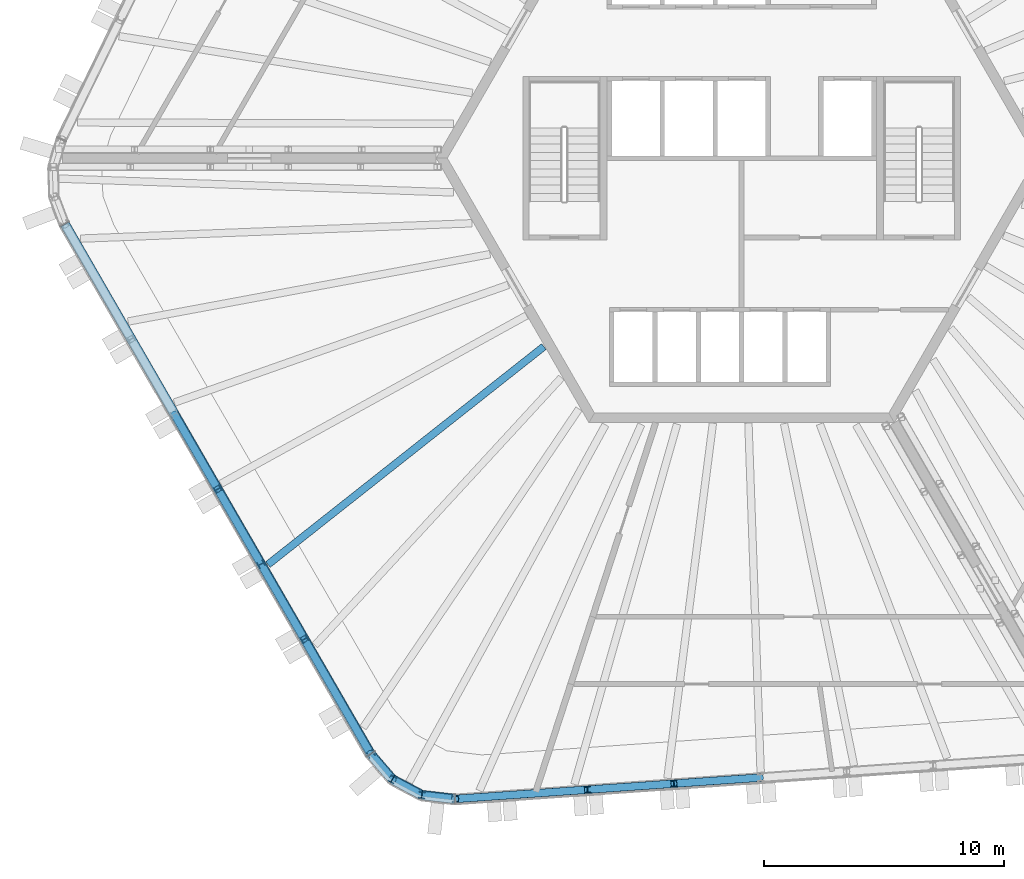
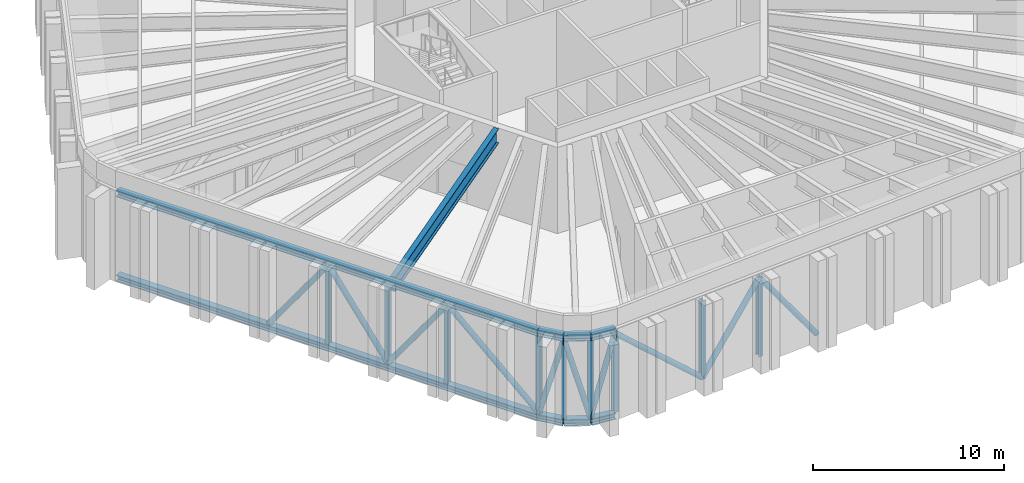
# One storey, part 1 of 19: 27 members, 1 beam.
"""IFC4 building model written with IfcOpenShell, lengths in metres."""

from ifc_helpers import new_model, si_unit, direction, frame, origin, origin_2d, place, context, subcontext, project, spatial, hollow_circle, i_section, extrude, material, material_profile, profile_set, type_object, element, save


model = new_model("IFC4")

# Units and contexts
model_context = context("Model", 3, precision=1e-05, world=origin(), true_north=direction((0.0, 1.0)))
body_context = subcontext(model_context, "Body", "Model", "MODEL_VIEW")
ifc_project = project(units=[si_unit("LENGTHUNIT", "METRE"), si_unit("AREAUNIT", "SQUARE_METRE"), si_unit("VOLUMEUNIT", "CUBIC_METRE"), si_unit("PLANEANGLEUNIT", "RADIAN"), si_unit("MASSUNIT", "GRAM", prefix="KILO")], contexts=[model_context])

# Site, building, storey
site_placement = place(None, origin())
site = spatial("IfcSite", under=ifc_project, at=site_placement, CompositionType="ELEMENT")
building_placement = place(site_placement, origin())
building = spatial("IfcBuilding", under=site, at=building_placement, Name="Tarnside Tower", CompositionType="ELEMENT")
storey_placement = place(building_placement, frame((0.0, 0.0, 343.5)))
storey = spatial("IfcBuildingStorey", under=building, at=storey_placement, Name="L83", CompositionType="ELEMENT", Elevation=343.5)

# Beam
ifc_material = material(Name="Steel S355", Category="steel")
ifc_material_profile_1 = material_profile(ifc_material, i_section(OverallWidth=0.3076171875, OverallDepth=0.926513671875, WebThickness=0.01953125, FlangeThickness=0.031982421875, FilletRadius=0.01904296875, at=origin_2d()), Name="UB 914x305x289")
ifc_profile_set_1 = profile_set([ifc_material_profile_1], Name="Steel S355")
beam_type = type_object("IfcBeamType", Name="Floor beam UB 914x305x289", PredefinedType="BEAM", material=ifc_profile_set_1)
beam_placement = place(storey_placement, frame((-19.698974609375, -16.898193359375, 5.03662109375), z_axis=(0.784706230348, 0.619867834343, 0.0), x_axis=(-0.619867834343, 0.784706230348, 0.0)))
element("IfcBeam", 1, at=beam_placement, inside=storey, type_object=beam_type, Name="Floor beam F3.05", PredefinedType="BEAM", context=body_context, shape_type="SweptSolid", body=[
    extrude(i_section(OverallWidth=0.3076171875, OverallDepth=0.926513671875, WebThickness=0.01953125, FlangeThickness=0.031982421875, FilletRadius=0.01904296875, at=origin_2d()), origin(), (0.0, 0.0, 1.0), 14.622802734375),
])

# Members
ifc_material_profile_2 = material_profile(ifc_material, i_section(OverallWidth=0.39892578125, OverallDepth=0.3935546875, WebThickness=0.022705078125, FlangeThickness=0.03662109375, FilletRadius=0.01513671875, at=origin_2d()), Name="UC 356x406x287")
ifc_profile_set_2 = profile_set([ifc_material_profile_2], Name="Steel S355")
member_type_1 = type_object("IfcMemberType", Name="Truss chord UC 356x406x287", PredefinedType="CHORD", material=ifc_profile_set_2)
member_1_placement = place(storey_placement, frame((-28.14892578125, -2.74462890625, -0.103271484375), z_axis=(0.499999583005, -0.866025644537, 0.0), x_axis=(0.866025644537, 0.499999583005, 0.0)))
element("IfcMember", 2, at=member_1_placement, inside=storey, type_object=member_type_1, Name="Belt truss bottom chord L83 run", PredefinedType="CHORD", context=body_context, shape_type="SweptSolid", body=[
    extrude(i_section(OverallWidth=0.39892578125, OverallDepth=0.3935546875, WebThickness=0.022705078125, FlangeThickness=0.03662109375, FilletRadius=0.01513671875, at=origin_2d()), origin(), (0.0, 0.0, 1.0), 25.44482421875),
])
member_2_placement = place(storey_placement, frame((-15.426513671875, -24.780517578125, -0.103271484375), z_axis=(0.651703505542, -0.758473823454, 0.0), x_axis=(0.758473823454, 0.651703505542, 0.0)))
element("IfcMember", 3, at=member_2_placement, inside=storey, type_object=member_type_1, Name="Belt truss bottom chord L83 corner3.1", PredefinedType="CHORD", context=body_context, shape_type="SweptSolid", body=[
    extrude(i_section(OverallWidth=0.39892578125, OverallDepth=0.3935546875, WebThickness=0.022705078125, FlangeThickness=0.03662109375, FilletRadius=0.01513671875, at=origin_2d()), origin(), (0.0, 0.0, 1.0), 1.387939453125),
])
member_3_placement = place(storey_placement, frame((-14.52197265625, -25.833251953125, -0.103271484375), z_axis=(0.882926676147, -0.469510899286, 0.0), x_axis=(0.469510899286, 0.882926676147, 0.0)))
element("IfcMember", 4, at=member_3_placement, inside=storey, type_object=member_type_1, Name="Belt truss bottom chord L83 corner3.2", PredefinedType="CHORD", context=body_context, shape_type="SweptSolid", body=[
    extrude(i_section(OverallWidth=0.39892578125, OverallDepth=0.3935546875, WebThickness=0.022705078125, FlangeThickness=0.03662109375, FilletRadius=0.01513671875, at=origin_2d()), origin(), (0.0, 0.0, 1.0), 1.388427734375),
])
member_4_placement = place(storey_placement, frame((-13.296142578125, -26.485107421875, -0.103271484375), z_axis=(0.993239161627, -0.116086036245, 0.0), x_axis=(0.116086036245, 0.993239161627, 0.0)))
element("IfcMember", 5, at=member_4_placement, inside=storey, type_object=member_type_1, Name="Belt truss bottom chord L83 corner3.3", PredefinedType="CHORD", context=body_context, shape_type="SweptSolid", body=[
    extrude(i_section(OverallWidth=0.39892578125, OverallDepth=0.3935546875, WebThickness=0.022705078125, FlangeThickness=0.03662109375, FilletRadius=0.01513671875, at=origin_2d()), origin(), (0.0, 0.0, 1.0), 1.387939453125),
])
ifc_material_profile_3 = material_profile(ifc_material, i_section(OverallWidth=0.403076171875, OverallDepth=0.406494140625, WebThickness=0.026611328125, FlangeThickness=0.04296875, FilletRadius=0.01513671875, at=origin_2d()), Name="UC 356x406x340")
ifc_profile_set_3 = profile_set([ifc_material_profile_3], Name="Steel S355")
member_type_2 = type_object("IfcMemberType", Name="Truss chord UC 356x406x340", PredefinedType="CHORD", material=ifc_profile_set_3)
member_5_placement = place(storey_placement, frame((-28.14892578125, -2.74462890625, 5.296875), z_axis=(0.499999583005, -0.866025644537, 0.0), x_axis=(0.866025644537, 0.499999583005, 0.0)))
element("IfcMember", 6, at=member_5_placement, inside=storey, type_object=member_type_2, Name="Belt truss top chord L83 run", PredefinedType="CHORD", context=body_context, shape_type="SweptSolid", body=[
    extrude(i_section(OverallWidth=0.403076171875, OverallDepth=0.406494140625, WebThickness=0.026611328125, FlangeThickness=0.04296875, FilletRadius=0.01513671875, at=origin_2d()), origin(), (0.0, 0.0, 1.0), 25.44482421875),
])
member_6_placement = place(storey_placement, frame((-15.426513671875, -24.780517578125, 5.296875), z_axis=(0.651703505542, -0.758473823454, 0.0), x_axis=(0.758473823454, 0.651703505542, 0.0)))
element("IfcMember", 7, at=member_6_placement, inside=storey, type_object=member_type_2, Name="Belt truss top chord L83 corner3.1", PredefinedType="CHORD", context=body_context, shape_type="SweptSolid", body=[
    extrude(i_section(OverallWidth=0.403076171875, OverallDepth=0.406494140625, WebThickness=0.026611328125, FlangeThickness=0.04296875, FilletRadius=0.01513671875, at=origin_2d()), origin(), (0.0, 0.0, 1.0), 1.387939453125),
])
member_7_placement = place(storey_placement, frame((-14.52197265625, -25.833251953125, 5.296875), z_axis=(0.882926676147, -0.469510899286, 0.0), x_axis=(0.469510899286, 0.882926676147, 0.0)))
element("IfcMember", 8, at=member_7_placement, inside=storey, type_object=member_type_2, Name="Belt truss top chord L83 corner3.2", PredefinedType="CHORD", context=body_context, shape_type="SweptSolid", body=[
    extrude(i_section(OverallWidth=0.403076171875, OverallDepth=0.406494140625, WebThickness=0.026611328125, FlangeThickness=0.04296875, FilletRadius=0.01513671875, at=origin_2d()), origin(), (0.0, 0.0, 1.0), 1.388427734375),
])
member_8_placement = place(storey_placement, frame((-13.296142578125, -26.485107421875, 5.296875), z_axis=(0.993239161627, -0.116086036245, 0.0), x_axis=(0.116086036245, 0.993239161627, 0.0)))
element("IfcMember", 9, at=member_8_placement, inside=storey, type_object=member_type_2, Name="Belt truss top chord L83 corner3.3", PredefinedType="CHORD", context=body_context, shape_type="SweptSolid", body=[
    extrude(i_section(OverallWidth=0.403076171875, OverallDepth=0.406494140625, WebThickness=0.026611328125, FlangeThickness=0.04296875, FilletRadius=0.01513671875, at=origin_2d()), origin(), (0.0, 0.0, 1.0), 1.387939453125),
])
ifc_material_profile_4 = material_profile(ifc_material, hollow_circle(Radius=0.161865234375, WallThickness=0.012451171875, at=origin_2d()), Name="CHS 323.9x12.5")
ifc_profile_set_4 = profile_set([ifc_material_profile_4], Name="Steel S355")
member_type_3 = type_object("IfcMemberType", Name="Truss diagonal CHS 323.9x12.5", PredefinedType="BRACE", material=ifc_profile_set_4)
for number, where, z_axis, x_axis, name in (
    (10, (-23.587890625, -10.644775390625, 0.093505859375), (0.292159987665, -0.506019672112, 0.811533507037), (0.866018442252, 0.500012057535, 0.0), "Belt truss diagonal L83 21"),
    (11, (-21.787841796875, -13.762451171875, 5.093505859375), (0.292159987665, -0.506019672112, -0.811533507037), (0.866018442252, 0.500012057535, 0.0), "Belt truss diagonal L83 22"),
    (12, (-19.98779296875, -16.880126953125, 0.093505859375), (0.292159987665, -0.506019672112, 0.811533507037), (0.866018442252, 0.500012057535, 0.0), "Belt truss diagonal L83 23"),
):
    element("IfcMember", number, at=place(storey_placement, frame(where, z_axis=z_axis, x_axis=x_axis)), inside=storey, type_object=member_type_3, Name=name, PredefinedType="BRACE", context=body_context, shape_type="SweptSolid", body=[
        extrude(hollow_circle(Radius=0.161865234375, WallThickness=0.012451171875, at=origin_2d()), origin(), (0.0, 0.0, 1.0), 6.1611328125),
    ])
member_9_placement = place(storey_placement, frame((-18.187744140625, -19.997802734375, 5.093505859375), z_axis=(0.370647467147, -0.641996806491, -0.671163583304), x_axis=(0.866030989016, 0.499990325971, 0.0)))
element("IfcMember", 13, at=member_9_placement, inside=storey, type_object=member_type_3, Name="Belt truss diagonal L83 24", PredefinedType="BRACE", context=body_context, shape_type="SweptSolid", body=[
    extrude(hollow_circle(Radius=0.161865234375, WallThickness=0.012451171875, at=origin_2d()), origin(), (0.0, 0.0, 1.0), 7.44970703125),
])
member_10_placement = place(storey_placement, frame((-15.426513671875, -24.780517578125, 0.093505859375), z_axis=(0.174316606236, -0.202875359268, 0.963563858492), x_axis=(0.758473823454, 0.651703505542, 0.0)))
element("IfcMember", 14, at=member_10_placement, inside=storey, type_object=member_type_3, Name="Belt truss diagonal L83 25", PredefinedType="BRACE", context=body_context, shape_type="SweptSolid", body=[
    extrude(hollow_circle(Radius=0.161865234375, WallThickness=0.012451171875, at=origin_2d()), origin(), (0.0, 0.0, 1.0), 5.18896484375),
])
for number, where, z_axis, x_axis, name in (
    (15, (-14.52197265625, -25.833251953125, 5.093505859375), (0.236228151648, -0.125618236387, -0.963543625922), (0.469510899286, 0.882926676147, 0.0), "Belt truss diagonal L83 26"),
    (16, (-13.296142578125, -26.485107421875, 0.093505859375), (0.265684667141, -0.031052218933, 0.963559763245), (0.116086036245, 0.993239161627, 0.0), "Belt truss diagonal L83 27"),
):
    element("IfcMember", number, at=place(storey_placement, frame(where, z_axis=z_axis, x_axis=x_axis)), inside=storey, type_object=member_type_3, Name=name, PredefinedType="BRACE", context=body_context, shape_type="SweptSolid", body=[
        extrude(hollow_circle(Radius=0.161865234375, WallThickness=0.012451171875, at=origin_2d()), origin(), (0.0, 0.0, 1.0), 5.189208984375),
    ])
member_11_placement = place(storey_placement, frame((-11.91748046875, -26.646240234375, 5.093505859375), z_axis=(0.739498406327, 0.051714091965, -0.671168950214), x_axis=(-0.069760938561, 0.997563738039, 0.0)))
element("IfcMember", 17, at=member_11_placement, inside=storey, type_object=member_type_3, Name="Belt truss diagonal L83 28", PredefinedType="BRACE", context=body_context, shape_type="SweptSolid", body=[
    extrude(hollow_circle(Radius=0.161865234375, WallThickness=0.012451171875, at=origin_2d()), origin(), (0.0, 0.0, 1.0), 7.44970703125),
])
for number, where, z_axis, x_axis, name in (
    (18, (-6.408447265625, -26.260986328125, 0.093505859375), (0.582890314576, 0.040734958762, 0.811529139531), (-0.069714402923, 0.997566991247, 0.0), "Belt truss diagonal L83 29"),
    (19, (-2.817138671875, -26.010009765625, 5.093505859375), (0.582863210085, 0.040775460139, -0.81154657302), (-0.06978660948, 0.997561942506, 0.0), "Belt truss diagonal L83 30"),
):
    element("IfcMember", number, at=place(storey_placement, frame(where, z_axis=z_axis, x_axis=x_axis)), inside=storey, type_object=member_type_3, Name=name, PredefinedType="BRACE", context=body_context, shape_type="SweptSolid", body=[
        extrude(hollow_circle(Radius=0.161865234375, WallThickness=0.012451171875, at=origin_2d()), origin(), (0.0, 0.0, 1.0), 6.1611328125),
    ])
ifc_material_profile_5 = material_profile(ifc_material, i_section(OverallWidth=0.26123046875, OverallDepth=0.2763671875, WebThickness=0.015380859375, FlangeThickness=0.025390625, FilletRadius=0.0126953125, at=origin_2d()), Name="UC 254x254x132")
ifc_profile_set_5 = profile_set([ifc_material_profile_5], Name="Steel S355")
member_type_4 = type_object("IfcMemberType", Name="Truss post UC 254x254x132", PredefinedType="POST", material=ifc_profile_set_5)
for number, where, z_axis, x_axis, name in (
    (20, (-21.787841796875, -13.762451171875, 0.093505859375), (0.0, 0.0, 1.0), (0.5, -0.866025403784, 0.0), "Belt truss post L83 22"),
    (21, (-19.98779296875, -16.880126953125, 0.093505859375), (0.0, 0.0, 1.0), (0.5, -0.866025403784, 0.0), "Belt truss post L83 23"),
    (22, (-18.187744140625, -19.997802734375, 0.093505859375), (0.0, 0.0, 1.0), (0.5, -0.866025403784, 0.0), "Belt truss post L83 24"),
    (23, (-15.426513671875, -24.780517578125, 0.093505859375), (0.0, 0.0, 1.0), (0.5, -0.866025403784, 0.0), "Belt truss post L83 25"),
    (24, (-14.52197265625, -25.833251953125, 0.093505859375), (0.0, 0.0, 1.0), (0.882947592859, -0.469471562786, 0.0), "Belt truss post L83 26"),
    (25, (-13.296142578125, -26.485107421875, 0.093505859375), (0.0, 0.0, 1.0), (0.993238357741, -0.116092914131, 0.0), "Belt truss post L83 27"),
    (26, (-11.91748046875, -26.646240234375, 0.093505859375), (0.0, 0.0, 1.0), (0.99756405026, 0.069756473744, 0.0), "Belt truss post L83 28"),
    (27, (-6.408447265625, -26.260986328125, 0.093505859375), (0.0, 0.0, 1.0), (0.99756405026, 0.069756473744, 0.0), "Belt truss post L83 29"),
    (28, (-2.817138671875, -26.010009765625, 0.093505859375), (0.0, 0.0, 1.0), (0.99756405026, 0.069756473744, 0.0), "Belt truss post L83 30"),
):
    element("IfcMember", number, at=place(storey_placement, frame(where, z_axis=z_axis, x_axis=x_axis)), inside=storey, type_object=member_type_4, Name=name, PredefinedType="POST", context=body_context, shape_type="SweptSolid", body=[
        extrude(i_section(OverallWidth=0.26123046875, OverallDepth=0.2763671875, WebThickness=0.015380859375, FlangeThickness=0.025390625, FilletRadius=0.0126953125, at=origin_2d()), origin(), (0.0, 0.0, 1.0), 5.0),
    ])

save(model, "model.ifc")
